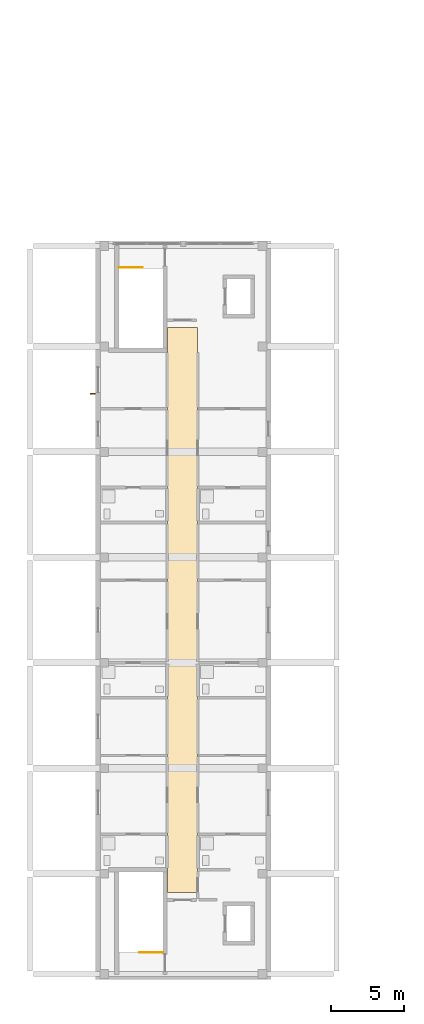
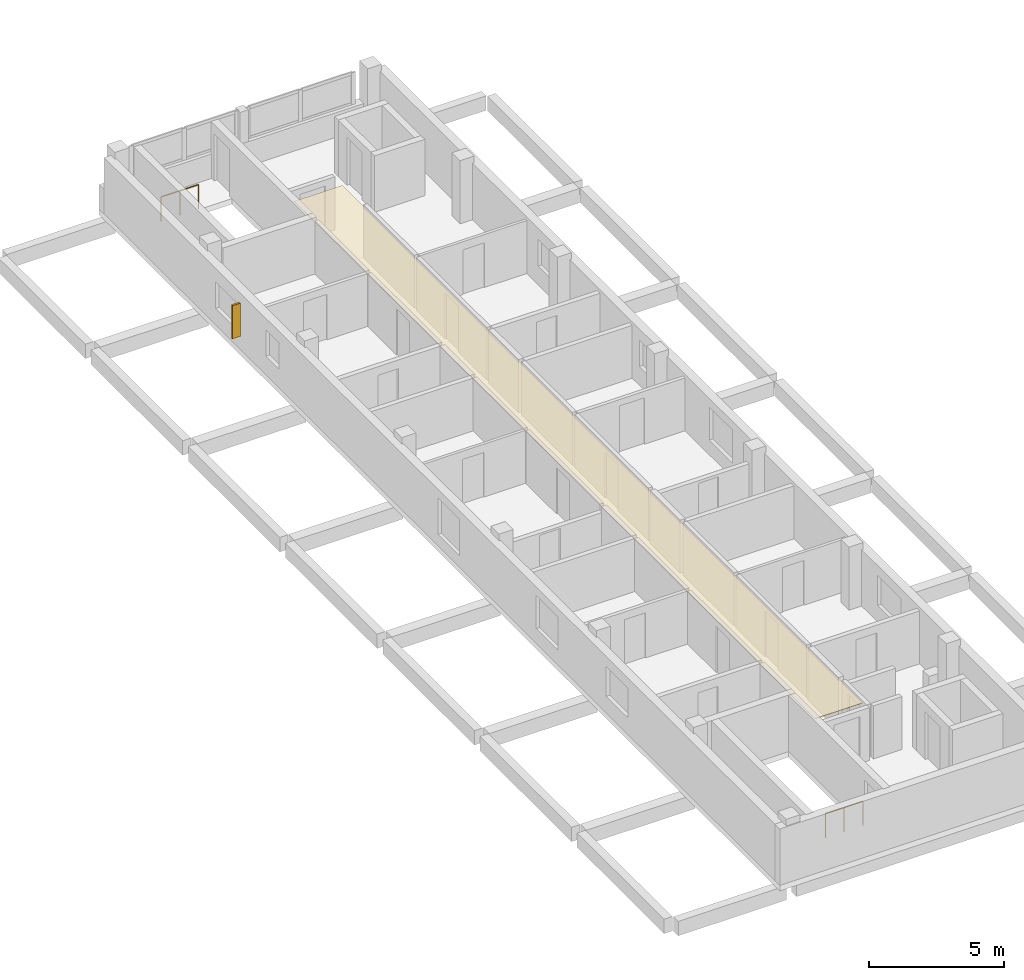
# One storey, part 24 of 34: 2 railings, 1 covering, 1 shading device.
"""IFC4 building model written with IfcOpenShell, lengths in metres."""

from ifc_helpers import new_model, si_unit, derived_unit, direction, frame, origin, origin_2d, place, context, subcontext, project, spatial, polyline, rectangle, circle, outline, extrude, material, layer, layer_set, type_object, element, save


model = new_model("IFC4")

# Units and contexts
model_context = context("Model", 3, precision=1e-05, world=origin(), true_north=direction((0.0, 1.0)))
body_context = subcontext(model_context, "Body", "Model", "MODEL_VIEW")
ifc_project = project(units=[si_unit("LENGTHUNIT", "METRE"), si_unit("AREAUNIT", "SQUARE_METRE"), si_unit("VOLUMEUNIT", "CUBIC_METRE"), si_unit("PLANEANGLEUNIT", "RADIAN"), si_unit("MASSUNIT", "GRAM", prefix="KILO"), derived_unit("THERMALTRANSMITTANCEUNIT", [(si_unit("MASSUNIT", "GRAM", prefix="KILO"), 1), (si_unit("TIMEUNIT", "SECOND"), -3), (si_unit("THERMODYNAMICTEMPERATUREUNIT", "KELVIN"), -1)])], contexts=[model_context])

# Site, building, storey
site_placement = place(None, origin())
site = spatial("IfcSite", under=ifc_project, at=site_placement, CompositionType="ELEMENT")
building_placement = place(site_placement, origin())
building = spatial("IfcBuilding", under=site, at=building_placement, Name="Ochrekiln Boulevard Commons", CompositionType="ELEMENT")
storey_placement = place(building_placement, frame((0.0, 0.0, 27.824951171875)))
storey = spatial("IfcBuildingStorey", under=building, at=storey_placement, Name="L08", CompositionType="ELEMENT", Elevation=27.824951171875)

# Covering
ifc_material_1 = material(Name="Mineral-fibre acoustic ceiling tile")
ifc_layer = layer(ifc_material_1, 0.02490234375)
ifc_layer_set = layer_set([ifc_layer], Name="Mineral-fibre acoustic ceiling tile")
covering_type = type_object("IfcCoveringType", Name="COV-CEIL-AC", PredefinedType="CEILING", material=ifc_layer_set)
covering_placement = place(storey_placement, frame((0.0, 0.0, 2.199951171875)))
element("IfcCovering", 1, at=covering_placement, inside=storey, type_object=covering_type, Name="L08 Acoustic Corridor Ceiling 62", PredefinedType="CEILING", context=body_context, shape_type="SweptSolid", body=[
    extrude(outline(polyline([(9.719970703125, 5.919921875), (11.780029296875, 5.919921875), (11.780029296875, 44.47998046875), (9.719970703125, 44.47998046875), (9.719970703125, 5.919921875)])), origin(), (0.0, 0.0, 1.0), 0.025146484375),
])

# Railings
ifc_material_2 = material(Name="Brushed stainless steel 316 tubular railing", Category="steel")
railing_type = type_object("IfcRailingType", Name="RLG-STR-1120", PredefinedType="BALUSTRADE", material=ifc_material_2)
railing_1_placement = place(storey_placement, frame((9.39990234375, 1.820068359375, 0.0)))
element("IfcRailing", 2, at=railing_1_placement, inside=storey, type_object=railing_type, Name="L08 ST-D1 top well guard 1", PredefinedType="BALUSTRADE", context=body_context, shape_type="SweptSolid", body=[
    extrude(circle(Radius=0.02392578125, at=origin_2d()), frame((0.0, 0.0, 1.09619140625), z_axis=(-1.0, 0.0, 0.0), x_axis=(0.0, -1.0, 0.0)), (0.0, 0.0, 1.0), 1.599853515625),
    extrude(circle(Radius=0.02099609375, at=origin_2d()), origin(), (0.0, 0.0, 1.0), 1.072021484375),
    extrude(circle(Radius=0.02099609375, at=origin_2d()), frame((-0.7998046875, 0.0, 0.0)), (0.0, 0.0, 1.0), 1.072021484375),
    extrude(circle(Radius=0.02099609375, at=origin_2d()), frame((-1.599853515625, 0.0, 0.0)), (0.0, 0.0, 1.0), 1.072021484375),
])
railing_2_placement = place(storey_placement, frame((6.39990234375, 48.580078125, 0.0)))
element("IfcRailing", 3, at=railing_2_placement, inside=storey, type_object=railing_type, Name="L08 ST-D2 top well guard 1", PredefinedType="BALUSTRADE", context=body_context, shape_type="SweptSolid", body=[
    extrude(circle(Radius=0.02392578125, at=origin_2d()), frame((0.0, 0.0, 1.09619140625), z_axis=(1.0, 0.0, 0.0), x_axis=(0.0, 1.0, 0.0)), (0.0, 0.0, 1.0), 1.60009765625),
    extrude(circle(Radius=0.02099609375, at=origin_2d()), origin(), (0.0, 0.0, 1.0), 1.072021484375),
    extrude(circle(Radius=0.02099609375, at=origin_2d()), frame((0.800048828125, 0.0, 0.0)), (0.0, 0.0, 1.0), 1.072021484375),
    extrude(circle(Radius=0.02099609375, at=origin_2d()), frame((1.60009765625, 0.0, 0.0)), (0.0, 0.0, 1.0), 1.072021484375),
])

# Shading device
ifc_material_3 = material(Name="Glazed architectural terracotta ASTM C1405", Category="masonry")
shading_device_type = type_object("IfcShadingDeviceType", Name="SHD-FIN-TERRA", PredefinedType="JALOUSIE", material=ifc_material_3)
shading_device_placement = place(storey_placement, frame((4.6298828125, 39.97509765625, 0.60009765625), z_axis=(0.0, 0.0, 1.0), x_axis=(1.0, 0.0, 0.0)))
element("IfcShadingDevice", 4, at=shading_device_placement, inside=storey, type_object=shading_device_type, Name="Terracotta Solar Shading Fin SF-01 (86)", PredefinedType="JALOUSIE", context=body_context, shape_type="SweptSolid", body=[
    extrude(rectangle(XDim=0.35009765625, YDim=0.080078125, at=origin_2d()), origin(), (0.0, 0.0, 1.0), 1.5),
])

save(model, "model.ifc")
